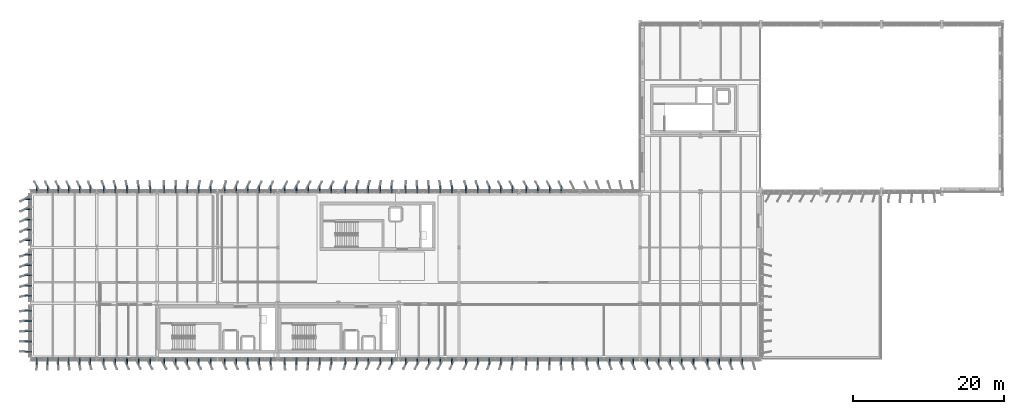
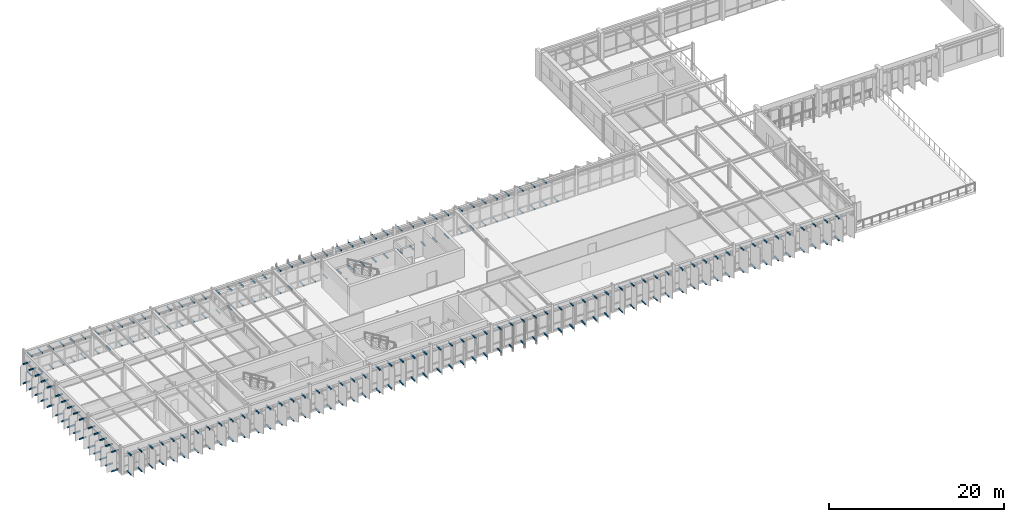
# One storey, part 36 of 45: 239 discrete accessories.
"""IFC4 building model written with IfcOpenShell, lengths in metres."""

from ifc_helpers import new_model, si_unit, direction, frame, origin, origin_2d, place, context, subcontext, project, spatial, rectangle, extrude, material, type_object, element, save


model = new_model("IFC4")

# Units and contexts
model_context = context("Model", 3, precision=1e-05, world=origin(), true_north=direction((0.0, 1.0)))
body_context = subcontext(model_context, "Body", "Model", "MODEL_VIEW")
ifc_project = project(units=[si_unit("LENGTHUNIT", "METRE"), si_unit("AREAUNIT", "SQUARE_METRE"), si_unit("VOLUMEUNIT", "CUBIC_METRE"), si_unit("PLANEANGLEUNIT", "RADIAN"), si_unit("MASSUNIT", "GRAM", prefix="KILO")], contexts=[model_context])

# Site, building, storey
site_placement = place(None, origin())
site = spatial("IfcSite", under=ifc_project, at=site_placement, CompositionType="ELEMENT")
building_placement = place(site_placement, origin())
building = spatial("IfcBuilding", under=site, at=building_placement, Name="Valkorina Park Police Headquarters", CompositionType="ELEMENT")
storey_placement = place(building_placement, frame((0.0, 0.0, 23.300048828125)))
storey = spatial("IfcBuildingStorey", under=building, at=storey_placement, Name="L06", CompositionType="ELEMENT", Elevation=23.300048828125)

# Discrete accessories
ifc_material = material(Name="Thermally broken aluminium AW-6060", Category="aluminium")
discrete_accessory_type = type_object("IfcDiscreteAccessoryType", Name="ACC-BRACKET-LOUVRE", PredefinedType="BRACKET", material=ifc_material)
for number, where, z_axis, x_axis, name in (
    (1, (-0.280029296875, 37.988037109375, -0.06982421875), (0.0, 0.0, 1.0), (-1.0, 0.0, 0.0), "Louvre Outrigger Bracket BOT 0619"),
    (2, (-0.280029296875, 37.988037109375, 2.6201171875), (0.0, 0.0, 1.0), (-1.0, 0.0, 0.0), "Louvre Outrigger Bracket TOP 0620"),
    (3, (-0.280029296875, 39.343994140625, -0.06982421875), (0.0, 0.0, 1.0), (-1.0, 0.0, 0.0), "Louvre Outrigger Bracket BOT 0621"),
    (4, (-0.280029296875, 39.343994140625, 2.6201171875), (0.0, 0.0, 1.0), (-1.0, 0.0, 0.0), "Louvre Outrigger Bracket TOP 0622"),
    (5, (-0.280029296875, 40.699951171875, -0.06982421875), (0.0, 0.0, 1.0), (-1.0, 0.0, 0.0), "Louvre Outrigger Bracket BOT 0623"),
    (6, (-0.280029296875, 40.699951171875, 2.6201171875), (0.0, 0.0, 1.0), (-1.0, 0.0, 0.0), "Louvre Outrigger Bracket TOP 0624"),
    (7, (-0.280029296875, 42.055908203125, -0.06982421875), (0.0, 0.0, 1.0), (-1.0, 0.0, 0.0), "Louvre Outrigger Bracket BOT 0625"),
    (8, (-0.280029296875, 42.055908203125, 2.6201171875), (0.0, 0.0, 1.0), (-1.0, 0.0, 0.0), "Louvre Outrigger Bracket TOP 0626"),
    (9, (-0.280029296875, 43.412109375, -0.06982421875), (0.0, 0.0, 1.0), (-1.0, 0.0, 0.0), "Louvre Outrigger Bracket BOT 0627"),
    (10, (-0.280029296875, 43.412109375, 2.6201171875), (0.0, 0.0, 1.0), (-1.0, 0.0, 0.0), "Louvre Outrigger Bracket TOP 0628"),
    (11, (-0.280029296875, 45.387939453125, -0.06982421875), (0.0, 0.0, 1.0), (-1.0, 0.0, 0.0), "Louvre Outrigger Bracket BOT 0629"),
    (12, (-0.280029296875, 45.387939453125, 2.6201171875), (0.0, 0.0, 1.0), (-1.0, 0.0, 0.0), "Louvre Outrigger Bracket TOP 0630"),
    (13, (-0.280029296875, 46.743896484375, -0.06982421875), (0.0, 0.0, 1.0), (-1.0, 0.0, 0.0), "Louvre Outrigger Bracket BOT 0631"),
    (14, (-0.280029296875, 46.743896484375, 2.6201171875), (0.0, 0.0, 1.0), (-1.0, 0.0, 0.0), "Louvre Outrigger Bracket TOP 0632"),
    (15, (-0.280029296875, 48.10009765625, -0.06982421875), (0.0, 0.0, 1.0), (-1.0, 0.0, 0.0), "Louvre Outrigger Bracket BOT 0633"),
    (16, (-0.280029296875, 48.10009765625, 2.6201171875), (0.0, 0.0, 1.0), (-1.0, 0.0, 0.0), "Louvre Outrigger Bracket TOP 0634"),
    (17, (-0.280029296875, 49.4560546875, -0.06982421875), (0.0, 0.0, 1.0), (-1.0, 0.0, 0.0), "Louvre Outrigger Bracket BOT 0635"),
    (18, (-0.280029296875, 49.4560546875, 2.6201171875), (0.0, 0.0, 1.0), (-1.0, 0.0, 0.0), "Louvre Outrigger Bracket TOP 0636"),
    (19, (-0.280029296875, 50.81201171875, -0.06982421875), (0.0, 0.0, 1.0), (-1.0, 0.0, 0.0), "Louvre Outrigger Bracket BOT 0637"),
    (20, (-0.280029296875, 50.81201171875, 2.6201171875), (0.0, 0.0, 1.0), (-1.0, 0.0, 0.0), "Louvre Outrigger Bracket TOP 0638"),
    (21, (-0.280029296875, 52.7880859375, -0.06982421875), (0.0, 0.0, 1.0), (-1.0, 0.0, 0.0), "Louvre Outrigger Bracket BOT 0639"),
    (22, (-0.280029296875, 52.7880859375, 2.6201171875), (0.0, 0.0, 1.0), (-1.0, 0.0, 0.0), "Louvre Outrigger Bracket TOP 0640"),
    (23, (-0.280029296875, 54.14404296875, -0.06982421875), (0.0, 0.0, 1.0), (-1.0, 0.0, 0.0), "Louvre Outrigger Bracket BOT 0641"),
    (24, (-0.280029296875, 54.14404296875, 2.6201171875), (0.0, 0.0, 1.0), (-1.0, 0.0, 0.0), "Louvre Outrigger Bracket TOP 0642"),
    (25, (-0.280029296875, 55.5, -0.06982421875), (0.0, 0.0, 1.0), (-1.0, 0.0, 0.0), "Louvre Outrigger Bracket BOT 0643"),
    (26, (-0.280029296875, 55.5, 2.6201171875), (0.0, 0.0, 1.0), (-1.0, 0.0, 0.0), "Louvre Outrigger Bracket TOP 0644"),
    (27, (-0.280029296875, 56.85595703125, -0.06982421875), (0.0, 0.0, 1.0), (-1.0, 0.0, 0.0), "Louvre Outrigger Bracket BOT 0645"),
    (28, (-0.280029296875, 56.85595703125, 2.6201171875), (0.0, 0.0, 1.0), (-1.0, 0.0, 0.0), "Louvre Outrigger Bracket TOP 0646"),
    (29, (-0.280029296875, 58.2119140625, -0.06982421875), (0.0, 0.0, 1.0), (-1.0, 0.0, 0.0), "Louvre Outrigger Bracket BOT 0647"),
    (30, (-0.280029296875, 58.2119140625, 2.6201171875), (0.0, 0.0, 1.0), (-1.0, 0.0, 0.0), "Louvre Outrigger Bracket TOP 0648"),
    (31, (0.86669921875, 59.47998046875, -0.06982421875), (0.0, 0.0, 1.0), (0.0, 1.0, 0.0), "Louvre Outrigger Bracket BOT 0649"),
    (32, (0.86669921875, 59.47998046875, 2.6201171875), (0.0, 0.0, 1.0), (0.0, 1.0, 0.0), "Louvre Outrigger Bracket TOP 0650"),
    (33, (2.280029296875, 59.47998046875, -0.06982421875), (0.0, 0.0, 1.0), (0.0, 1.0, 0.0), "Louvre Outrigger Bracket BOT 0651"),
    (34, (2.280029296875, 59.47998046875, 2.6201171875), (0.0, 0.0, 1.0), (0.0, 1.0, 0.0), "Louvre Outrigger Bracket TOP 0652"),
    (35, (3.693359375, 59.47998046875, -0.06982421875), (0.0, 0.0, 1.0), (0.0, 1.0, 0.0), "Louvre Outrigger Bracket BOT 0653"),
    (36, (3.693359375, 59.47998046875, 2.6201171875), (0.0, 0.0, 1.0), (0.0, 1.0, 0.0), "Louvre Outrigger Bracket TOP 0654"),
    (37, (5.106689453125, 59.47998046875, -0.06982421875), (0.0, 0.0, 1.0), (0.0, 1.0, 0.0), "Louvre Outrigger Bracket BOT 0655"),
    (38, (5.106689453125, 59.47998046875, 2.6201171875), (0.0, 0.0, 1.0), (0.0, 1.0, 0.0), "Louvre Outrigger Bracket TOP 0656"),
    (39, (6.52001953125, 59.47998046875, -0.06982421875), (0.0, 0.0, 1.0), (0.0, 1.0, 0.0), "Louvre Outrigger Bracket BOT 0657"),
    (40, (6.52001953125, 59.47998046875, 2.6201171875), (0.0, 0.0, 1.0), (0.0, 1.0, 0.0), "Louvre Outrigger Bracket TOP 0658"),
    (41, (7.933349609375, 59.47998046875, -0.06982421875), (0.0, 0.0, 1.0), (0.0, 1.0, 0.0), "Louvre Outrigger Bracket BOT 0659"),
    (42, (7.933349609375, 59.47998046875, 2.6201171875), (0.0, 0.0, 1.0), (0.0, 1.0, 0.0), "Louvre Outrigger Bracket TOP 0660"),
    (43, (9.72802734375, 59.47998046875, -0.06982421875), (0.0, 0.0, 1.0), (0.0, 1.0, 0.0), "Louvre Outrigger Bracket BOT 0661"),
    (44, (9.72802734375, 59.47998046875, 2.6201171875), (0.0, 0.0, 1.0), (0.0, 1.0, 0.0), "Louvre Outrigger Bracket TOP 0662"),
    (45, (11.263916015625, 59.47998046875, -0.06982421875), (0.0, 0.0, 1.0), (0.0, 1.0, 0.0), "Louvre Outrigger Bracket BOT 0663"),
    (46, (11.263916015625, 59.47998046875, 2.6201171875), (0.0, 0.0, 1.0), (0.0, 1.0, 0.0), "Louvre Outrigger Bracket TOP 0664"),
    (47, (12.800048828125, 59.47998046875, -0.06982421875), (0.0, 0.0, 1.0), (0.0, 1.0, 0.0), "Louvre Outrigger Bracket BOT 0665"),
    (48, (12.800048828125, 59.47998046875, 2.6201171875), (0.0, 0.0, 1.0), (0.0, 1.0, 0.0), "Louvre Outrigger Bracket TOP 0666"),
    (49, (14.3359375, 59.47998046875, -0.06982421875), (0.0, 0.0, 1.0), (0.0, 1.0, 0.0), "Louvre Outrigger Bracket BOT 0667"),
    (50, (14.3359375, 59.47998046875, 2.6201171875), (0.0, 0.0, 1.0), (0.0, 1.0, 0.0), "Louvre Outrigger Bracket TOP 0668"),
    (51, (15.8720703125, 59.47998046875, -0.06982421875), (0.0, 0.0, 1.0), (0.0, 1.0, 0.0), "Louvre Outrigger Bracket BOT 0669"),
    (52, (15.8720703125, 59.47998046875, 2.6201171875), (0.0, 0.0, 1.0), (0.0, 1.0, 0.0), "Louvre Outrigger Bracket TOP 0670"),
    (53, (17.72802734375, 59.47998046875, -0.06982421875), (0.0, 0.0, 1.0), (0.0, 1.0, 0.0), "Louvre Outrigger Bracket BOT 0671"),
    (54, (17.72802734375, 59.47998046875, 2.6201171875), (0.0, 0.0, 1.0), (0.0, 1.0, 0.0), "Louvre Outrigger Bracket TOP 0672"),
    (55, (19.263916015625, 59.47998046875, -0.06982421875), (0.0, 0.0, 1.0), (0.0, 1.0, 0.0), "Louvre Outrigger Bracket BOT 0673"),
    (56, (19.263916015625, 59.47998046875, 2.6201171875), (0.0, 0.0, 1.0), (0.0, 1.0, 0.0), "Louvre Outrigger Bracket TOP 0674"),
    (57, (20.800048828125, 59.47998046875, -0.06982421875), (0.0, 0.0, 1.0), (0.0, 1.0, 0.0), "Louvre Outrigger Bracket BOT 0675"),
    (58, (20.800048828125, 59.47998046875, 2.6201171875), (0.0, 0.0, 1.0), (0.0, 1.0, 0.0), "Louvre Outrigger Bracket TOP 0676"),
    (59, (22.3359375, 59.47998046875, -0.06982421875), (0.0, 0.0, 1.0), (0.0, 1.0, 0.0), "Louvre Outrigger Bracket BOT 0677"),
    (60, (22.3359375, 59.47998046875, 2.6201171875), (0.0, 0.0, 1.0), (0.0, 1.0, 0.0), "Louvre Outrigger Bracket TOP 0678"),
    (61, (23.8720703125, 59.47998046875, -0.06982421875), (0.0, 0.0, 1.0), (0.0, 1.0, 0.0), "Louvre Outrigger Bracket BOT 0679"),
    (62, (23.8720703125, 59.47998046875, 2.6201171875), (0.0, 0.0, 1.0), (0.0, 1.0, 0.0), "Louvre Outrigger Bracket TOP 0680"),
    (63, (25.72802734375, 59.47998046875, -0.06982421875), (0.0, 0.0, 1.0), (0.0, 1.0, 0.0), "Louvre Outrigger Bracket BOT 0681"),
    (64, (25.72802734375, 59.47998046875, 2.6201171875), (0.0, 0.0, 1.0), (0.0, 1.0, 0.0), "Louvre Outrigger Bracket TOP 0682"),
    (65, (27.263916015625, 59.47998046875, -0.06982421875), (0.0, 0.0, 1.0), (0.0, 1.0, 0.0), "Louvre Outrigger Bracket BOT 0683"),
    (66, (27.263916015625, 59.47998046875, 2.6201171875), (0.0, 0.0, 1.0), (0.0, 1.0, 0.0), "Louvre Outrigger Bracket TOP 0684"),
    (67, (28.800048828125, 59.47998046875, -0.06982421875), (0.0, 0.0, 1.0), (0.0, 1.0, 0.0), "Louvre Outrigger Bracket BOT 0685"),
    (68, (28.800048828125, 59.47998046875, 2.6201171875), (0.0, 0.0, 1.0), (0.0, 1.0, 0.0), "Louvre Outrigger Bracket TOP 0686"),
    (69, (30.3359375, 59.47998046875, -0.06982421875), (0.0, 0.0, 1.0), (0.0, 1.0, 0.0), "Louvre Outrigger Bracket BOT 0687"),
    (70, (30.3359375, 59.47998046875, 2.6201171875), (0.0, 0.0, 1.0), (0.0, 1.0, 0.0), "Louvre Outrigger Bracket TOP 0688"),
    (71, (31.8720703125, 59.47998046875, -0.06982421875), (0.0, 0.0, 1.0), (0.0, 1.0, 0.0), "Louvre Outrigger Bracket BOT 0689"),
    (72, (31.8720703125, 59.47998046875, 2.6201171875), (0.0, 0.0, 1.0), (0.0, 1.0, 0.0), "Louvre Outrigger Bracket TOP 0690"),
    (73, (33.72802734375, 59.47998046875, -0.06982421875), (0.0, 0.0, 1.0), (0.0, 1.0, 0.0), "Louvre Outrigger Bracket BOT 0691"),
    (74, (33.72802734375, 59.47998046875, 3.06982421875), (0.0, 0.0, 1.0), (0.0, 1.0, 0.0), "Louvre Outrigger Bracket TOP 0692"),
    (75, (35.263916015625, 59.47998046875, -0.06982421875), (0.0, 0.0, 1.0), (0.0, 1.0, 0.0), "Louvre Outrigger Bracket BOT 0693"),
    (76, (35.263916015625, 59.47998046875, 3.06982421875), (0.0, 0.0, 1.0), (0.0, 1.0, 0.0), "Louvre Outrigger Bracket TOP 0694"),
    (77, (36.800048828125, 59.47998046875, -0.06982421875), (0.0, 0.0, 1.0), (0.0, 1.0, 0.0), "Louvre Outrigger Bracket BOT 0695"),
    (78, (36.800048828125, 59.47998046875, 3.06982421875), (0.0, 0.0, 1.0), (0.0, 1.0, 0.0), "Louvre Outrigger Bracket TOP 0696"),
    (79, (38.3359375, 59.47998046875, -0.06982421875), (0.0, 0.0, 1.0), (0.0, 1.0, 0.0), "Louvre Outrigger Bracket BOT 0697"),
    (80, (38.3359375, 59.47998046875, 3.06982421875), (0.0, 0.0, 1.0), (0.0, 1.0, 0.0), "Louvre Outrigger Bracket TOP 0698"),
    (81, (39.8720703125, 59.47998046875, -0.06982421875), (0.0, 0.0, 1.0), (0.0, 1.0, 0.0), "Louvre Outrigger Bracket BOT 0699"),
    (82, (39.8720703125, 59.47998046875, 3.06982421875), (0.0, 0.0, 1.0), (0.0, 1.0, 0.0), "Louvre Outrigger Bracket TOP 0700"),
    (83, (41.72802734375, 59.47998046875, -0.06982421875), (0.0, 0.0, 1.0), (0.0, 1.0, 0.0), "Louvre Outrigger Bracket BOT 0701"),
    (84, (41.72802734375, 59.47998046875, 3.1298828125), (0.0, 0.0, 1.0), (0.0, 1.0, 0.0), "Louvre Outrigger Bracket TOP 0702"),
    (85, (43.263916015625, 59.47998046875, -0.06982421875), (0.0, 0.0, 1.0), (0.0, 1.0, 0.0), "Louvre Outrigger Bracket BOT 0703"),
    (86, (43.263916015625, 59.47998046875, 3.1298828125), (0.0, 0.0, 1.0), (0.0, 1.0, 0.0), "Louvre Outrigger Bracket TOP 0704"),
    (87, (44.800048828125, 59.47998046875, -0.06982421875), (0.0, 0.0, 1.0), (0.0, 1.0, 0.0), "Louvre Outrigger Bracket BOT 0705"),
    (88, (44.800048828125, 59.47998046875, 3.1298828125), (0.0, 0.0, 1.0), (0.0, 1.0, 0.0), "Louvre Outrigger Bracket TOP 0706"),
    (89, (46.3359375, 59.47998046875, -0.06982421875), (0.0, 0.0, 1.0), (0.0, 1.0, 0.0), "Louvre Outrigger Bracket BOT 0707"),
    (90, (46.3359375, 59.47998046875, 3.1298828125), (0.0, 0.0, 1.0), (0.0, 1.0, 0.0), "Louvre Outrigger Bracket TOP 0708"),
    (91, (47.8720703125, 59.47998046875, -0.06982421875), (0.0, 0.0, 1.0), (0.0, 1.0, 0.0), "Louvre Outrigger Bracket BOT 0709"),
    (92, (47.8720703125, 59.47998046875, 3.1298828125), (0.0, 0.0, 1.0), (0.0, 1.0, 0.0), "Louvre Outrigger Bracket TOP 0710"),
    (93, (49.72802734375, 59.47998046875, -0.06982421875), (0.0, 0.0, 1.0), (0.0, 1.0, 0.0), "Louvre Outrigger Bracket BOT 0711"),
    (94, (49.72802734375, 59.47998046875, 3.06982421875), (0.0, 0.0, 1.0), (0.0, 1.0, 0.0), "Louvre Outrigger Bracket TOP 0712"),
    (95, (51.263916015625, 59.47998046875, -0.06982421875), (0.0, 0.0, 1.0), (0.0, 1.0, 0.0), "Louvre Outrigger Bracket BOT 0713"),
    (96, (51.263916015625, 59.47998046875, 3.06982421875), (0.0, 0.0, 1.0), (0.0, 1.0, 0.0), "Louvre Outrigger Bracket TOP 0714"),
    (97, (52.800048828125, 59.47998046875, -0.06982421875), (0.0, 0.0, 1.0), (0.0, 1.0, 0.0), "Louvre Outrigger Bracket BOT 0715"),
    (98, (52.800048828125, 59.47998046875, 3.06982421875), (0.0, 0.0, 1.0), (0.0, 1.0, 0.0), "Louvre Outrigger Bracket TOP 0716"),
    (99, (54.3359375, 59.47998046875, -0.06982421875), (0.0, 0.0, 1.0), (0.0, 1.0, 0.0), "Louvre Outrigger Bracket BOT 0717"),
    (100, (54.3359375, 59.47998046875, 3.06982421875), (0.0, 0.0, 1.0), (0.0, 1.0, 0.0), "Louvre Outrigger Bracket TOP 0718"),
    (101, (55.8720703125, 59.47998046875, -0.06982421875), (0.0, 0.0, 1.0), (0.0, 1.0, 0.0), "Louvre Outrigger Bracket BOT 0719"),
    (102, (55.8720703125, 59.47998046875, 3.06982421875), (0.0, 0.0, 1.0), (0.0, 1.0, 0.0), "Louvre Outrigger Bracket TOP 0720"),
    (103, (57.72802734375, 59.47998046875, -0.06982421875), (0.0, 0.0, 1.0), (0.0, 1.0, 0.0), "Louvre Outrigger Bracket BOT 0721"),
    (104, (57.72802734375, 59.47998046875, 3.02001953125), (0.0, 0.0, 1.0), (0.0, 1.0, 0.0), "Louvre Outrigger Bracket TOP 0722"),
    (105, (59.263916015625, 59.47998046875, -0.06982421875), (0.0, 0.0, 1.0), (0.0, 1.0, 0.0), "Louvre Outrigger Bracket BOT 0723"),
    (106, (59.263916015625, 59.47998046875, 3.02001953125), (0.0, 0.0, 1.0), (0.0, 1.0, 0.0), "Louvre Outrigger Bracket TOP 0724"),
    (107, (60.800048828125, 59.47998046875, -0.06982421875), (0.0, 0.0, 1.0), (0.0, 1.0, 0.0), "Louvre Outrigger Bracket BOT 0725"),
    (108, (60.800048828125, 59.47998046875, 3.02001953125), (0.0, 0.0, 1.0), (0.0, 1.0, 0.0), "Louvre Outrigger Bracket TOP 0726"),
    (109, (62.3359375, 59.47998046875, -0.06982421875), (0.0, 0.0, 1.0), (0.0, 1.0, 0.0), "Louvre Outrigger Bracket BOT 0727"),
    (110, (62.3359375, 59.47998046875, 3.02001953125), (0.0, 0.0, 1.0), (0.0, 1.0, 0.0), "Louvre Outrigger Bracket TOP 0728"),
    (111, (63.8720703125, 59.47998046875, -0.06982421875), (0.0, 0.0, 1.0), (0.0, 1.0, 0.0), "Louvre Outrigger Bracket BOT 0729"),
    (112, (63.8720703125, 59.47998046875, 3.02001953125), (0.0, 0.0, 1.0), (0.0, 1.0, 0.0), "Louvre Outrigger Bracket TOP 0730"),
    (113, (65.72802734375, 59.47998046875, -0.06982421875), (0.0, 0.0, 1.0), (0.0, 1.0, 0.0), "Louvre Outrigger Bracket BOT 0731"),
    (114, (65.72802734375, 59.47998046875, 3.02001953125), (0.0, 0.0, 1.0), (0.0, 1.0, 0.0), "Louvre Outrigger Bracket TOP 0732"),
    (115, (67.263916015625, 59.47998046875, -0.06982421875), (0.0, 0.0, 1.0), (0.0, 1.0, 0.0), "Louvre Outrigger Bracket BOT 0733"),
    (116, (67.263916015625, 59.47998046875, 3.02001953125), (0.0, 0.0, 1.0), (0.0, 1.0, 0.0), "Louvre Outrigger Bracket TOP 0734"),
    (117, (68.800048828125, 59.47998046875, -0.06982421875), (0.0, 0.0, 1.0), (0.0, 1.0, 0.0), "Louvre Outrigger Bracket BOT 0735"),
    (118, (68.800048828125, 59.47998046875, 3.02001953125), (0.0, 0.0, 1.0), (0.0, 1.0, 0.0), "Louvre Outrigger Bracket TOP 0736"),
    (119, (70.3359375, 59.47998046875, -0.06982421875), (0.0, 0.0, 1.0), (0.0, 1.0, 0.0), "Louvre Outrigger Bracket BOT 0737"),
    (120, (94.3359375, 36.719970703125, -0.06982421875), (0.0, 0.0, 1.0), (0.0, -1.0, 0.0), "Louvre Outrigger Bracket BOT 0803"),
    (121, (94.3359375, 36.719970703125, 2.9599609375), (0.0, 0.0, 1.0), (0.0, -1.0, 0.0), "Louvre Outrigger Bracket TOP 0804"),
    (122, (92.800048828125, 36.719970703125, -0.06982421875), (0.0, 0.0, 1.0), (0.0, -1.0, 0.0), "Louvre Outrigger Bracket BOT 0805"),
    (123, (92.800048828125, 36.719970703125, 2.9599609375), (0.0, 0.0, 1.0), (0.0, -1.0, 0.0), "Louvre Outrigger Bracket TOP 0806"),
    (124, (91.263916015625, 36.719970703125, -0.06982421875), (0.0, 0.0, 1.0), (0.0, -1.0, 0.0), "Louvre Outrigger Bracket BOT 0807"),
    (125, (91.263916015625, 36.719970703125, 2.9599609375), (0.0, 0.0, 1.0), (0.0, -1.0, 0.0), "Louvre Outrigger Bracket TOP 0808"),
    (126, (89.72802734375, 36.719970703125, -0.06982421875), (0.0, 0.0, 1.0), (0.0, -1.0, 0.0), "Louvre Outrigger Bracket BOT 0809"),
    (127, (89.72802734375, 36.719970703125, 2.9599609375), (0.0, 0.0, 1.0), (0.0, -1.0, 0.0), "Louvre Outrigger Bracket TOP 0810"),
    (128, (87.8720703125, 36.719970703125, -0.06982421875), (0.0, 0.0, 1.0), (0.0, -1.0, 0.0), "Louvre Outrigger Bracket BOT 0811"),
    (129, (87.8720703125, 36.719970703125, 2.9599609375), (0.0, 0.0, 1.0), (0.0, -1.0, 0.0), "Louvre Outrigger Bracket TOP 0812"),
    (130, (86.3359375, 36.719970703125, -0.06982421875), (0.0, 0.0, 1.0), (0.0, -1.0, 0.0), "Louvre Outrigger Bracket BOT 0813"),
    (131, (86.3359375, 36.719970703125, 2.9599609375), (0.0, 0.0, 1.0), (0.0, -1.0, 0.0), "Louvre Outrigger Bracket TOP 0814"),
    (132, (84.800048828125, 36.719970703125, -0.06982421875), (0.0, 0.0, 1.0), (0.0, -1.0, 0.0), "Louvre Outrigger Bracket BOT 0815"),
    (133, (84.800048828125, 36.719970703125, 2.9599609375), (0.0, 0.0, 1.0), (0.0, -1.0, 0.0), "Louvre Outrigger Bracket TOP 0816"),
    (134, (83.263916015625, 36.719970703125, -0.06982421875), (0.0, 0.0, 1.0), (0.0, -1.0, 0.0), "Louvre Outrigger Bracket BOT 0817"),
    (135, (83.263916015625, 36.719970703125, 2.9599609375), (0.0, 0.0, 1.0), (0.0, -1.0, 0.0), "Louvre Outrigger Bracket TOP 0818"),
    (136, (81.72802734375, 36.719970703125, -0.06982421875), (0.0, 0.0, 1.0), (0.0, -1.0, 0.0), "Louvre Outrigger Bracket BOT 0819"),
    (137, (81.72802734375, 36.719970703125, 2.9599609375), (0.0, 0.0, 1.0), (0.0, -1.0, 0.0), "Louvre Outrigger Bracket TOP 0820"),
    (138, (79.8720703125, 36.719970703125, -0.06982421875), (0.0, 0.0, 1.0), (0.0, -1.0, 0.0), "Louvre Outrigger Bracket BOT 0821"),
    (139, (79.8720703125, 36.719970703125, 2.9599609375), (0.0, 0.0, 1.0), (0.0, -1.0, 0.0), "Louvre Outrigger Bracket TOP 0822"),
    (140, (78.3359375, 36.719970703125, -0.06982421875), (0.0, 0.0, 1.0), (0.0, -1.0, 0.0), "Louvre Outrigger Bracket BOT 0823"),
    (141, (78.3359375, 36.719970703125, 2.9599609375), (0.0, 0.0, 1.0), (0.0, -1.0, 0.0), "Louvre Outrigger Bracket TOP 0824"),
    (142, (76.800048828125, 36.719970703125, -0.06982421875), (0.0, 0.0, 1.0), (0.0, -1.0, 0.0), "Louvre Outrigger Bracket BOT 0825"),
    (143, (76.800048828125, 36.719970703125, 2.9599609375), (0.0, 0.0, 1.0), (0.0, -1.0, 0.0), "Louvre Outrigger Bracket TOP 0826"),
    (144, (75.263916015625, 36.719970703125, -0.06982421875), (0.0, 0.0, 1.0), (0.0, -1.0, 0.0), "Louvre Outrigger Bracket BOT 0827"),
    (145, (75.263916015625, 36.719970703125, 2.9599609375), (0.0, 0.0, 1.0), (0.0, -1.0, 0.0), "Louvre Outrigger Bracket TOP 0828"),
    (146, (73.72802734375, 36.719970703125, -0.06982421875), (0.0, 0.0, 1.0), (0.0, -1.0, 0.0), "Louvre Outrigger Bracket BOT 0829"),
    (147, (73.72802734375, 36.719970703125, 2.9599609375), (0.0, 0.0, 1.0), (0.0, -1.0, 0.0), "Louvre Outrigger Bracket TOP 0830"),
    (148, (71.8720703125, 36.719970703125, -0.06982421875), (0.0, 0.0, 1.0), (0.0, -1.0, 0.0), "Louvre Outrigger Bracket BOT 0831"),
    (149, (71.8720703125, 36.719970703125, 3.02001953125), (0.0, 0.0, 1.0), (0.0, -1.0, 0.0), "Louvre Outrigger Bracket TOP 0832"),
    (150, (70.3359375, 36.719970703125, -0.06982421875), (0.0, 0.0, 1.0), (0.0, -1.0, 0.0), "Louvre Outrigger Bracket BOT 0833"),
    (151, (70.3359375, 36.719970703125, 3.02001953125), (0.0, 0.0, 1.0), (0.0, -1.0, 0.0), "Louvre Outrigger Bracket TOP 0834"),
    (152, (68.800048828125, 36.719970703125, -0.06982421875), (0.0, 0.0, 1.0), (0.0, -1.0, 0.0), "Louvre Outrigger Bracket BOT 0835"),
    (153, (68.800048828125, 36.719970703125, 3.02001953125), (0.0, 0.0, 1.0), (0.0, -1.0, 0.0), "Louvre Outrigger Bracket TOP 0836"),
    (154, (67.263916015625, 36.719970703125, -0.06982421875), (0.0, 0.0, 1.0), (0.0, -1.0, 0.0), "Louvre Outrigger Bracket BOT 0837"),
    (155, (67.263916015625, 36.719970703125, 3.02001953125), (0.0, 0.0, 1.0), (0.0, -1.0, 0.0), "Louvre Outrigger Bracket TOP 0838"),
    (156, (65.72802734375, 36.719970703125, -0.06982421875), (0.0, 0.0, 1.0), (0.0, -1.0, 0.0), "Louvre Outrigger Bracket BOT 0839"),
    (157, (65.72802734375, 36.719970703125, 3.02001953125), (0.0, 0.0, 1.0), (0.0, -1.0, 0.0), "Louvre Outrigger Bracket TOP 0840"),
    (158, (63.8720703125, 36.719970703125, -0.06982421875), (0.0, 0.0, 1.0), (0.0, -1.0, 0.0), "Louvre Outrigger Bracket BOT 0841"),
    (159, (63.8720703125, 36.719970703125, 3.02001953125), (0.0, 0.0, 1.0), (0.0, -1.0, 0.0), "Louvre Outrigger Bracket TOP 0842"),
    (160, (62.3359375, 36.719970703125, -0.06982421875), (0.0, 0.0, 1.0), (0.0, -1.0, 0.0), "Louvre Outrigger Bracket BOT 0843"),
    (161, (62.3359375, 36.719970703125, 3.02001953125), (0.0, 0.0, 1.0), (0.0, -1.0, 0.0), "Louvre Outrigger Bracket TOP 0844"),
    (162, (60.800048828125, 36.719970703125, -0.06982421875), (0.0, 0.0, 1.0), (0.0, -1.0, 0.0), "Louvre Outrigger Bracket BOT 0845"),
    (163, (60.800048828125, 36.719970703125, 3.02001953125), (0.0, 0.0, 1.0), (0.0, -1.0, 0.0), "Louvre Outrigger Bracket TOP 0846"),
    (164, (59.263916015625, 36.719970703125, -0.06982421875), (0.0, 0.0, 1.0), (0.0, -1.0, 0.0), "Louvre Outrigger Bracket BOT 0847"),
    (165, (59.263916015625, 36.719970703125, 3.02001953125), (0.0, 0.0, 1.0), (0.0, -1.0, 0.0), "Louvre Outrigger Bracket TOP 0848"),
    (166, (57.72802734375, 36.719970703125, -0.06982421875), (0.0, 0.0, 1.0), (0.0, -1.0, 0.0), "Louvre Outrigger Bracket BOT 0849"),
    (167, (57.72802734375, 36.719970703125, 3.02001953125), (0.0, 0.0, 1.0), (0.0, -1.0, 0.0), "Louvre Outrigger Bracket TOP 0850"),
    (168, (55.8720703125, 36.719970703125, -0.06982421875), (0.0, 0.0, 1.0), (0.0, -1.0, 0.0), "Louvre Outrigger Bracket BOT 0851"),
    (169, (55.8720703125, 36.719970703125, 3.06982421875), (0.0, 0.0, 1.0), (0.0, -1.0, 0.0), "Louvre Outrigger Bracket TOP 0852"),
    (170, (54.3359375, 36.719970703125, -0.06982421875), (0.0, 0.0, 1.0), (0.0, -1.0, 0.0), "Louvre Outrigger Bracket BOT 0853"),
    (171, (54.3359375, 36.719970703125, 3.06982421875), (0.0, 0.0, 1.0), (0.0, -1.0, 0.0), "Louvre Outrigger Bracket TOP 0854"),
    (172, (52.800048828125, 36.719970703125, -0.06982421875), (0.0, 0.0, 1.0), (0.0, -1.0, 0.0), "Louvre Outrigger Bracket BOT 0855"),
    (173, (52.800048828125, 36.719970703125, 3.06982421875), (0.0, 0.0, 1.0), (0.0, -1.0, 0.0), "Louvre Outrigger Bracket TOP 0856"),
    (174, (51.263916015625, 36.719970703125, -0.06982421875), (0.0, 0.0, 1.0), (0.0, -1.0, 0.0), "Louvre Outrigger Bracket BOT 0857"),
    (175, (51.263916015625, 36.719970703125, 3.06982421875), (0.0, 0.0, 1.0), (0.0, -1.0, 0.0), "Louvre Outrigger Bracket TOP 0858"),
    (176, (49.72802734375, 36.719970703125, -0.06982421875), (0.0, 0.0, 1.0), (0.0, -1.0, 0.0), "Louvre Outrigger Bracket BOT 0859"),
    (177, (49.72802734375, 36.719970703125, 3.06982421875), (0.0, 0.0, 1.0), (0.0, -1.0, 0.0), "Louvre Outrigger Bracket TOP 0860"),
    (178, (47.8720703125, 36.719970703125, -0.06982421875), (0.0, 0.0, 1.0), (0.0, -1.0, 0.0), "Louvre Outrigger Bracket BOT 0861"),
    (179, (47.8720703125, 36.719970703125, 3.06982421875), (0.0, 0.0, 1.0), (0.0, -1.0, 0.0), "Louvre Outrigger Bracket TOP 0862"),
    (180, (46.3359375, 36.719970703125, -0.06982421875), (0.0, 0.0, 1.0), (0.0, -1.0, 0.0), "Louvre Outrigger Bracket BOT 0863"),
    (181, (46.3359375, 36.719970703125, 3.06982421875), (0.0, 0.0, 1.0), (0.0, -1.0, 0.0), "Louvre Outrigger Bracket TOP 0864"),
    (182, (44.800048828125, 36.719970703125, -0.06982421875), (0.0, 0.0, 1.0), (0.0, -1.0, 0.0), "Louvre Outrigger Bracket BOT 0865"),
    (183, (44.800048828125, 36.719970703125, 3.06982421875), (0.0, 0.0, 1.0), (0.0, -1.0, 0.0), "Louvre Outrigger Bracket TOP 0866"),
    (184, (43.263916015625, 36.719970703125, -0.06982421875), (0.0, 0.0, 1.0), (0.0, -1.0, 0.0), "Louvre Outrigger Bracket BOT 0867"),
    (185, (43.263916015625, 36.719970703125, 3.06982421875), (0.0, 0.0, 1.0), (0.0, -1.0, 0.0), "Louvre Outrigger Bracket TOP 0868"),
    (186, (41.72802734375, 36.719970703125, -0.06982421875), (0.0, 0.0, 1.0), (0.0, -1.0, 0.0), "Louvre Outrigger Bracket BOT 0869"),
    (187, (41.72802734375, 36.719970703125, 3.06982421875), (0.0, 0.0, 1.0), (0.0, -1.0, 0.0), "Louvre Outrigger Bracket TOP 0870"),
    (188, (39.8720703125, 36.719970703125, -0.06982421875), (0.0, 0.0, 1.0), (0.0, -1.0, 0.0), "Louvre Outrigger Bracket BOT 0871"),
    (189, (39.8720703125, 36.719970703125, 3.06982421875), (0.0, 0.0, 1.0), (0.0, -1.0, 0.0), "Louvre Outrigger Bracket TOP 0872"),
    (190, (38.3359375, 36.719970703125, -0.06982421875), (0.0, 0.0, 1.0), (0.0, -1.0, 0.0), "Louvre Outrigger Bracket BOT 0873"),
    (191, (38.3359375, 36.719970703125, 3.06982421875), (0.0, 0.0, 1.0), (0.0, -1.0, 0.0), "Louvre Outrigger Bracket TOP 0874"),
    (192, (36.800048828125, 36.719970703125, -0.06982421875), (0.0, 0.0, 1.0), (0.0, -1.0, 0.0), "Louvre Outrigger Bracket BOT 0875"),
    (193, (36.800048828125, 36.719970703125, 3.06982421875), (0.0, 0.0, 1.0), (0.0, -1.0, 0.0), "Louvre Outrigger Bracket TOP 0876"),
    (194, (35.263916015625, 36.719970703125, -0.06982421875), (0.0, 0.0, 1.0), (0.0, -1.0, 0.0), "Louvre Outrigger Bracket BOT 0877"),
    (195, (35.263916015625, 36.719970703125, 3.06982421875), (0.0, 0.0, 1.0), (0.0, -1.0, 0.0), "Louvre Outrigger Bracket TOP 0878"),
    (196, (33.72802734375, 36.719970703125, -0.06982421875), (0.0, 0.0, 1.0), (0.0, -1.0, 0.0), "Louvre Outrigger Bracket BOT 0879"),
    (197, (33.72802734375, 36.719970703125, 3.06982421875), (0.0, 0.0, 1.0), (0.0, -1.0, 0.0), "Louvre Outrigger Bracket TOP 0880"),
    (198, (31.8720703125, 36.719970703125, -0.06982421875), (0.0, 0.0, 1.0), (0.0, -1.0, 0.0), "Louvre Outrigger Bracket BOT 0881"),
    (199, (31.8720703125, 36.719970703125, 2.6201171875), (0.0, 0.0, 1.0), (0.0, -1.0, 0.0), "Louvre Outrigger Bracket TOP 0882"),
    (200, (30.3359375, 36.719970703125, -0.06982421875), (0.0, 0.0, 1.0), (0.0, -1.0, 0.0), "Louvre Outrigger Bracket BOT 0883"),
    (201, (30.3359375, 36.719970703125, 2.6201171875), (0.0, 0.0, 1.0), (0.0, -1.0, 0.0), "Louvre Outrigger Bracket TOP 0884"),
    (202, (28.800048828125, 36.719970703125, -0.06982421875), (0.0, 0.0, 1.0), (0.0, -1.0, 0.0), "Louvre Outrigger Bracket BOT 0885"),
    (203, (28.800048828125, 36.719970703125, 2.6201171875), (0.0, 0.0, 1.0), (0.0, -1.0, 0.0), "Louvre Outrigger Bracket TOP 0886"),
    (204, (27.263916015625, 36.719970703125, -0.06982421875), (0.0, 0.0, 1.0), (0.0, -1.0, 0.0), "Louvre Outrigger Bracket BOT 0887"),
    (205, (27.263916015625, 36.719970703125, 2.6201171875), (0.0, 0.0, 1.0), (0.0, -1.0, 0.0), "Louvre Outrigger Bracket TOP 0888"),
    (206, (25.72802734375, 36.719970703125, -0.06982421875), (0.0, 0.0, 1.0), (0.0, -1.0, 0.0), "Louvre Outrigger Bracket BOT 0889"),
    (207, (25.72802734375, 36.719970703125, 2.6201171875), (0.0, 0.0, 1.0), (0.0, -1.0, 0.0), "Louvre Outrigger Bracket TOP 0890"),
    (208, (23.8720703125, 36.719970703125, -0.06982421875), (0.0, 0.0, 1.0), (0.0, -1.0, 0.0), "Louvre Outrigger Bracket BOT 0891"),
    (209, (23.8720703125, 36.719970703125, 2.6201171875), (0.0, 0.0, 1.0), (0.0, -1.0, 0.0), "Louvre Outrigger Bracket TOP 0892"),
    (210, (22.3359375, 36.719970703125, -0.06982421875), (0.0, 0.0, 1.0), (0.0, -1.0, 0.0), "Louvre Outrigger Bracket BOT 0893"),
    (211, (22.3359375, 36.719970703125, 2.6201171875), (0.0, 0.0, 1.0), (0.0, -1.0, 0.0), "Louvre Outrigger Bracket TOP 0894"),
    (212, (20.800048828125, 36.719970703125, -0.06982421875), (0.0, 0.0, 1.0), (0.0, -1.0, 0.0), "Louvre Outrigger Bracket BOT 0895"),
    (213, (20.800048828125, 36.719970703125, 2.6201171875), (0.0, 0.0, 1.0), (0.0, -1.0, 0.0), "Louvre Outrigger Bracket TOP 0896"),
    (214, (19.263916015625, 36.719970703125, -0.06982421875), (0.0, 0.0, 1.0), (0.0, -1.0, 0.0), "Louvre Outrigger Bracket BOT 0897"),
    (215, (19.263916015625, 36.719970703125, 2.6201171875), (0.0, 0.0, 1.0), (0.0, -1.0, 0.0), "Louvre Outrigger Bracket TOP 0898"),
    (216, (17.72802734375, 36.719970703125, -0.06982421875), (0.0, 0.0, 1.0), (0.0, -1.0, 0.0), "Louvre Outrigger Bracket BOT 0899"),
    (217, (17.72802734375, 36.719970703125, 2.6201171875), (0.0, 0.0, 1.0), (0.0, -1.0, 0.0), "Louvre Outrigger Bracket TOP 0900"),
    (218, (15.8720703125, 36.719970703125, -0.06982421875), (0.0, 0.0, 1.0), (0.0, -1.0, 0.0), "Louvre Outrigger Bracket BOT 0901"),
    (219, (15.8720703125, 36.719970703125, 2.6201171875), (0.0, 0.0, 1.0), (0.0, -1.0, 0.0), "Louvre Outrigger Bracket TOP 0902"),
    (220, (14.3359375, 36.719970703125, -0.06982421875), (0.0, 0.0, 1.0), (0.0, -1.0, 0.0), "Louvre Outrigger Bracket BOT 0903"),
    (221, (14.3359375, 36.719970703125, 2.6201171875), (0.0, 0.0, 1.0), (0.0, -1.0, 0.0), "Louvre Outrigger Bracket TOP 0904"),
    (222, (12.800048828125, 36.719970703125, -0.06982421875), (0.0, 0.0, 1.0), (0.0, -1.0, 0.0), "Louvre Outrigger Bracket BOT 0905"),
    (223, (12.800048828125, 36.719970703125, 2.6201171875), (0.0, 0.0, 1.0), (0.0, -1.0, 0.0), "Louvre Outrigger Bracket TOP 0906"),
    (224, (11.263916015625, 36.719970703125, -0.06982421875), (0.0, 0.0, 1.0), (0.0, -1.0, 0.0), "Louvre Outrigger Bracket BOT 0907"),
    (225, (11.263916015625, 36.719970703125, 2.6201171875), (0.0, 0.0, 1.0), (0.0, -1.0, 0.0), "Louvre Outrigger Bracket TOP 0908"),
    (226, (9.72802734375, 36.719970703125, -0.06982421875), (0.0, 0.0, 1.0), (0.0, -1.0, 0.0), "Louvre Outrigger Bracket BOT 0909"),
    (227, (9.72802734375, 36.719970703125, 2.6201171875), (0.0, 0.0, 1.0), (0.0, -1.0, 0.0), "Louvre Outrigger Bracket TOP 0910"),
    (228, (7.933349609375, 36.719970703125, -0.06982421875), (0.0, 0.0, 1.0), (0.0, -1.0, 0.0), "Louvre Outrigger Bracket BOT 0911"),
    (229, (7.933349609375, 36.719970703125, 2.6201171875), (0.0, 0.0, 1.0), (0.0, -1.0, 0.0), "Louvre Outrigger Bracket TOP 0912"),
    (230, (6.52001953125, 36.719970703125, -0.06982421875), (0.0, 0.0, 1.0), (0.0, -1.0, 0.0), "Louvre Outrigger Bracket BOT 0913"),
    (231, (6.52001953125, 36.719970703125, 2.6201171875), (0.0, 0.0, 1.0), (0.0, -1.0, 0.0), "Louvre Outrigger Bracket TOP 0914"),
    (232, (5.106689453125, 36.719970703125, -0.06982421875), (0.0, 0.0, 1.0), (0.0, -1.0, 0.0), "Louvre Outrigger Bracket BOT 0915"),
    (233, (5.106689453125, 36.719970703125, 2.6201171875), (0.0, 0.0, 1.0), (0.0, -1.0, 0.0), "Louvre Outrigger Bracket TOP 0916"),
    (234, (3.693359375, 36.719970703125, -0.06982421875), (0.0, 0.0, 1.0), (0.0, -1.0, 0.0), "Louvre Outrigger Bracket BOT 0917"),
    (235, (3.693359375, 36.719970703125, 2.6201171875), (0.0, 0.0, 1.0), (0.0, -1.0, 0.0), "Louvre Outrigger Bracket TOP 0918"),
    (236, (2.280029296875, 36.719970703125, -0.06982421875), (0.0, 0.0, 1.0), (0.0, -1.0, 0.0), "Louvre Outrigger Bracket BOT 0919"),
    (237, (2.280029296875, 36.719970703125, 2.6201171875), (0.0, 0.0, 1.0), (0.0, -1.0, 0.0), "Louvre Outrigger Bracket TOP 0920"),
    (238, (0.86669921875, 36.719970703125, -0.06982421875), (0.0, 0.0, 1.0), (0.0, -1.0, 0.0), "Louvre Outrigger Bracket BOT 0921"),
    (239, (0.86669921875, 36.719970703125, 2.6201171875), (0.0, 0.0, 1.0), (0.0, -1.0, 0.0), "Louvre Outrigger Bracket TOP 0922"),
):
    element("IfcDiscreteAccessory", number, at=place(storey_placement, frame(where, z_axis=z_axis, x_axis=x_axis)), inside=storey, type_object=discrete_accessory_type, Name=name, PredefinedType="BRACKET", context=body_context, shape_type="SweptSolid", body=[
        extrude(rectangle(XDim=0.9599609375, YDim=0.139892578125, at=origin_2d()), origin(), (0.0, 0.0, 1.0), 0.179931640625),
    ])

save(model, "model.ifc")
